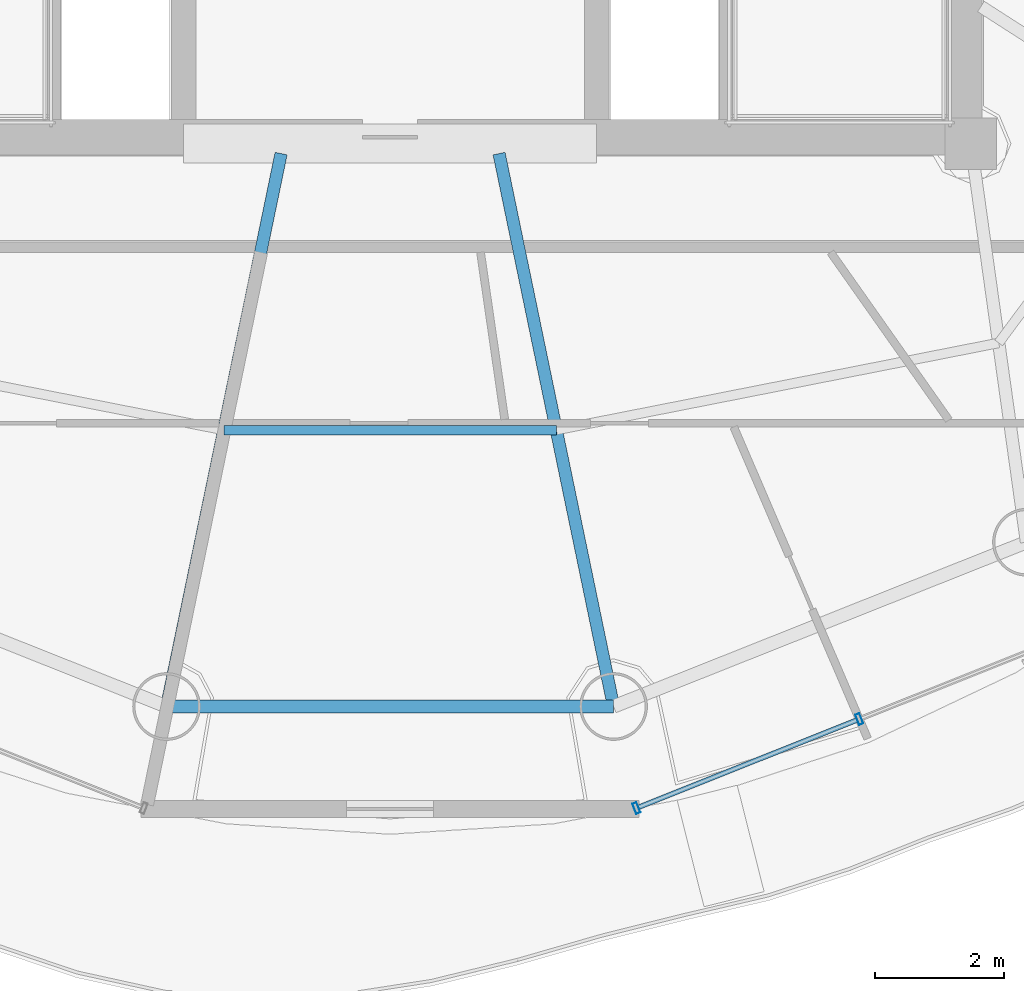
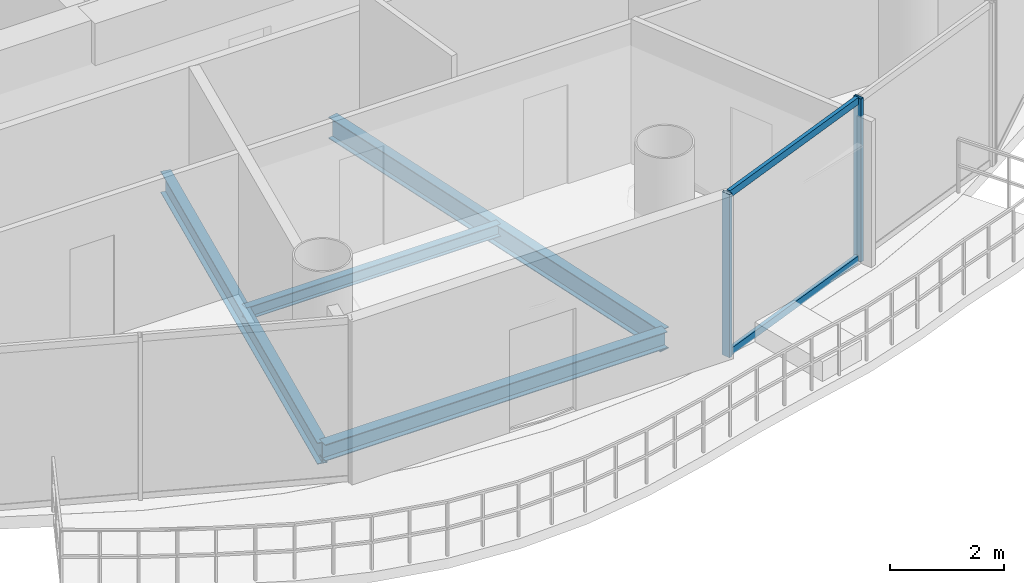
# One storey, part 5 of 23: 4 beams, 4 members, 1 element without a shape of its own.
"""IFC4 building model written with IfcOpenShell, lengths in metres."""

from ifc_helpers import new_model, si_unit, direction, frame, origin, origin_2d, place, context, subcontext, project, spatial, hollow_rectangle, i_section, extrude, source, transform, mapped, material, material_profile, profile_set, type_object, element, aggregate, save


model = new_model("IFC4")

# Units and contexts
model_context = context("Model", 3, precision=1e-05, world=origin(), true_north=direction((-0.2419218956, 0.970295726276)))
body_context = subcontext(model_context, "Body", "Model", "MODEL_VIEW")
ifc_project = project(units=[si_unit("LENGTHUNIT", "METRE"), si_unit("AREAUNIT", "SQUARE_METRE"), si_unit("VOLUMEUNIT", "CUBIC_METRE"), si_unit("PLANEANGLEUNIT", "RADIAN"), si_unit("MASSUNIT", "GRAM", prefix="KILO")], contexts=[model_context])

# Site, building, storey
site_placement = place(None, origin())
site = spatial("IfcSite", under=ifc_project, at=site_placement, CompositionType="ELEMENT")
building_placement = place(site_placement, origin())
building = spatial("IfcBuilding", under=site, at=building_placement, Name="Cobrevalo Terracotta Tower", CompositionType="ELEMENT")
storey_placement = place(building_placement, frame((0.0, 0.0, 266.949951171875)))
storey = spatial("IfcBuildingStorey", under=building, at=storey_placement, Name="L70", CompositionType="ELEMENT", Elevation=266.949951171875)

# Beams
ifc_material_1 = material(Name="Steel S355", Category="steel")
ifc_material_profile_1 = material_profile(ifc_material_1, i_section(OverallWidth=0.19091796875, OverallDepth=0.4599609375, WebThickness=0.010009765625, FlangeThickness=0.01611328125, at=origin_2d()), Name="W 460x82")
ifc_profile_set_1 = profile_set([ifc_material_profile_1], Name="Steel S355")
beam_type_1 = type_object("IfcBeamType", Name="Structural Beam W 460x82 (Steel S355)", PredefinedType="BEAM", material=ifc_profile_set_1)
for number, where, z_axis, x_axis, name in (
    (1, (34.537109375, 10.07763671875, -0.489990234375), (0.202781841237, 0.9792239401, 0.0), (-0.9792239401, 0.202781841237, 0.0), "L70 radial floor girder 12"),
    (2, (41.462890625, 10.07763671875, -0.489990234375), (-0.202781841237, 0.9792239401, 0.0), (-0.9792239401, -0.202781841237, 0.0), "L70 radial floor girder 13"),
):
    element("IfcBeam", number, at=place(storey_placement, frame(where, z_axis=z_axis, x_axis=x_axis)), inside=storey, type_object=beam_type_1, Name=name, PredefinedType="BEAM", context=body_context, shape_type="SweptSolid", body=[
        extrude(i_section(OverallWidth=0.19091796875, OverallDepth=0.4599609375, WebThickness=0.010009765625, FlangeThickness=0.01611328125, at=origin_2d()), origin(), (0.0, 0.0, 1.0), 8.749267578125),
    ])
ifc_material_profile_2 = material_profile(ifc_material_1, i_section(OverallWidth=0.14794921875, OverallDepth=0.26611328125, WebThickness=0.007568359375, FlangeThickness=0.012939453125, at=origin_2d()), Name="W 250x44.8")
ifc_profile_set_2 = profile_set([ifc_material_profile_2], Name="Steel S355")
beam_type_2 = type_object("IfcBeamType", Name="Structural Joist W 250x44.8 (Steel S355)", PredefinedType="JOIST", material=ifc_profile_set_2)
beam_1_placement = place(storey_placement, frame((35.42431640625, 14.361328125, -0.39306640625), z_axis=(1.0, 0.0, 0.0), x_axis=(0.0, 1.0, 0.0)))
element("IfcBeam", 3, at=beam_1_placement, inside=storey, type_object=beam_type_2, Name="L70 circumferential secondary floor joist 12", PredefinedType="JOIST", context=body_context, shape_type="SweptSolid", body=[
    extrude(i_section(OverallWidth=0.14794921875, OverallDepth=0.26611328125, WebThickness=0.007568359375, FlangeThickness=0.012939453125, at=origin_2d()), origin(), (0.0, 0.0, 1.0), 5.1513671875),
])
ifc_material_profile_3 = material_profile(ifc_material_1, i_section(OverallWidth=0.205078125, OverallDepth=0.35400390625, WebThickness=0.009521484375, FlangeThickness=0.016845703125, at=origin_2d()), Name="W 360x79")
ifc_profile_set_3 = profile_set([ifc_material_profile_3], Name="Steel S355")
beam_type_3 = type_object("IfcBeamType", Name="Structural Spandrel W 360x79 (Steel S355)", PredefinedType="SPANDREL", material=ifc_profile_set_3)
beam_2_placement = place(storey_placement, frame((34.537109375, 10.07763671875, -0.43701171875), z_axis=(1.0, 0.0, 0.0), x_axis=(0.0, 1.0, 0.0)))
element("IfcBeam", 4, at=beam_2_placement, inside=storey, type_object=beam_type_3, Name="L70 perimeter ring spandrel 12", PredefinedType="SPANDREL", context=body_context, shape_type="SweptSolid", body=[
    extrude(i_section(OverallWidth=0.205078125, OverallDepth=0.35400390625, WebThickness=0.009521484375, FlangeThickness=0.016845703125, at=origin_2d()), origin(), (0.0, 0.0, 1.0), 6.92578125),
])

# Curtain wall, members
ifc_material_2 = material(Name="Anodized aluminium", Category="aluminium")
curtain_wall_type = type_object("IfcCurtainWallType", Name="Upper-tower triple-glazed penthouse curtain wall CW-U3", PredefinedType="NOTDEFINED", material=ifc_material_2)
curtain_wall_placement = place(storey_placement, origin())
curtain_wall = element("IfcCurtainWall", 5, at=curtain_wall_placement, inside=storey, type_object=curtain_wall_type, Name="L70 curtain wall CW-L70-S13", PredefinedType="NOTDEFINED")
ifc_material_profile_4 = material_profile(ifc_material_2, hollow_rectangle(XDim=0.070068359375, YDim=0.169921875, WallThickness=0.00439453125, at=origin_2d()), Name="CWM 70x170")
ifc_profile_set_4 = profile_set([ifc_material_profile_4], Name="Anodized aluminium")
member_type_1 = type_object("IfcMemberType", Name="Upper tower unitised mullion 70x170", PredefinedType="MULLION", material=ifc_profile_set_4)
shared_shape_1 = source(origin(), body_context, "Body", "SweptSolid", [
    extrude(hollow_rectangle(XDim=0.070068359375, YDim=0.169921875, WallThickness=0.00439453125, at=origin_2d()), origin(), (0.0, 0.0, 1.0), 3.489990234375),
])
member_1_placement = place(storey_placement, frame((41.816162109375, 8.503662109375, 0.0), z_axis=(0.0, 0.0, 1.0), x_axis=(0.928718980883, 0.370784377433, 0.0)))
member_1 = element("IfcMember", 6, at=member_1_placement, type_object=member_type_1, Name="CW-L70-S13 vertical mullion 01", PredefinedType="MULLION", context=body_context, shape_type="MappedRepresentation", body=[
    mapped(shared_shape_1, transform((0.0, 0.0, 0.0), scale=1.0)),
])
member_2_placement = place(storey_placement, frame((45.270263671875, 9.882568359375, 0.0), z_axis=(0.0, 0.0, 1.0), x_axis=(0.928718980883, 0.370784377433, 0.0)))
member_2 = element("IfcMember", 7, at=member_2_placement, type_object=member_type_1, Name="CW-L70-S13 vertical mullion 02", PredefinedType="MULLION", context=body_context, shape_type="MappedRepresentation", body=[
    mapped(shared_shape_1, transform((0.0, 0.0, 0.0), scale=1.0)),
])
ifc_material_profile_5 = material_profile(ifc_material_2, hollow_rectangle(XDim=0.074951171875, YDim=0.14990234375, WallThickness=0.00439453125, at=origin_2d()), Name="CWT 75x150")
ifc_profile_set_5 = profile_set([ifc_material_profile_5], Name="Anodized aluminium")
member_type_2 = type_object("IfcMemberType", Name="Tower unitised aluminium transom 75x150", PredefinedType="USERDEFINED", material=ifc_profile_set_5)
shared_shape_2 = source(origin(), body_context, "Body", "SweptSolid", [
    extrude(hollow_rectangle(XDim=0.074951171875, YDim=0.14990234375, WallThickness=0.00439453125, at=origin_2d()), origin(), (0.0, 0.0, 1.0), 3.63916015625),
])
member_3_placement = place(storey_placement, frame((41.853271484375, 8.518310546875, 0.050048828125), z_axis=(0.928712471544, 0.370800681227, 0.0), x_axis=(-0.370800681227, 0.928712471544, 0.0)))
member_3 = element("IfcMember", 8, at=member_3_placement, type_object=member_type_2, Name="CW-L70-S13 transom B01-T1", ObjectType="TRANSOM", PredefinedType="USERDEFINED", context=body_context, shape_type="MappedRepresentation", body=[
    mapped(shared_shape_2, transform((0.0, 0.0, 0.0), scale=1.0)),
])
member_4_placement = place(storey_placement, frame((41.853271484375, 8.518310546875, 3.43994140625), z_axis=(0.928712471544, 0.370800681227, 0.0), x_axis=(-0.370800681227, 0.928712471544, 0.0)))
member_4 = element("IfcMember", 9, at=member_4_placement, type_object=member_type_2, Name="CW-L70-S13 transom B01-T2", ObjectType="TRANSOM", PredefinedType="USERDEFINED", context=body_context, shape_type="MappedRepresentation", body=[
    mapped(shared_shape_2, transform((0.0, 0.0, 0.0), scale=1.0)),
])
aggregate(curtain_wall, [member_1, member_2, member_3, member_4])

save(model, "model.ifc")
